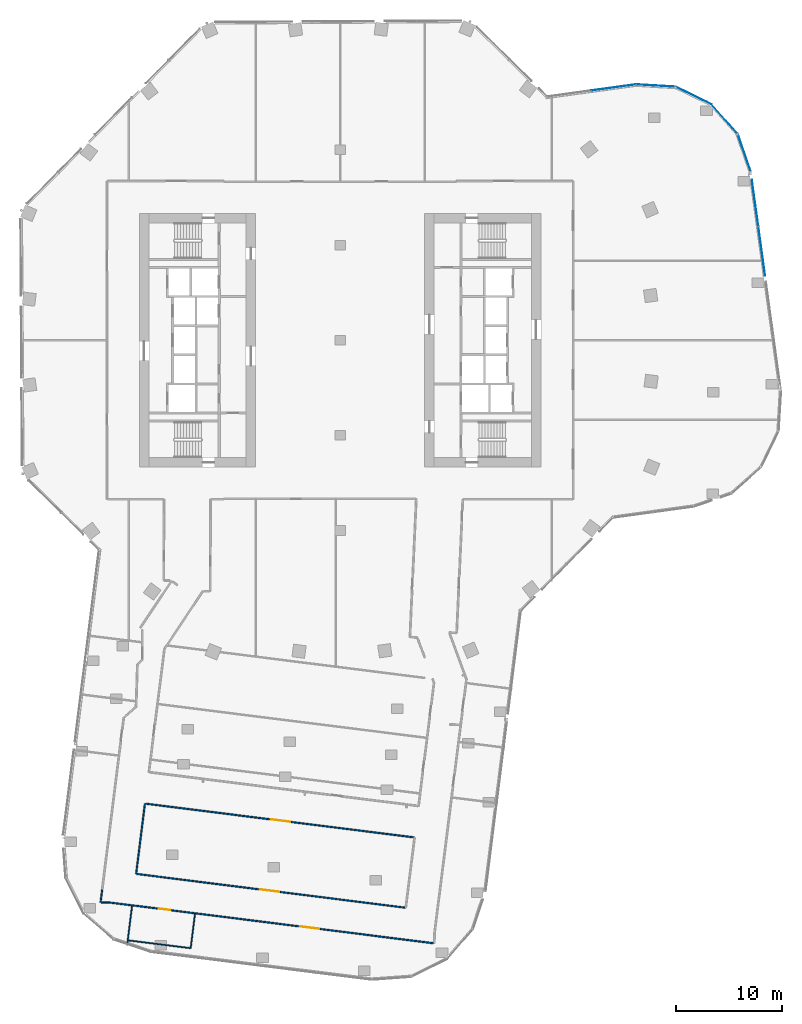
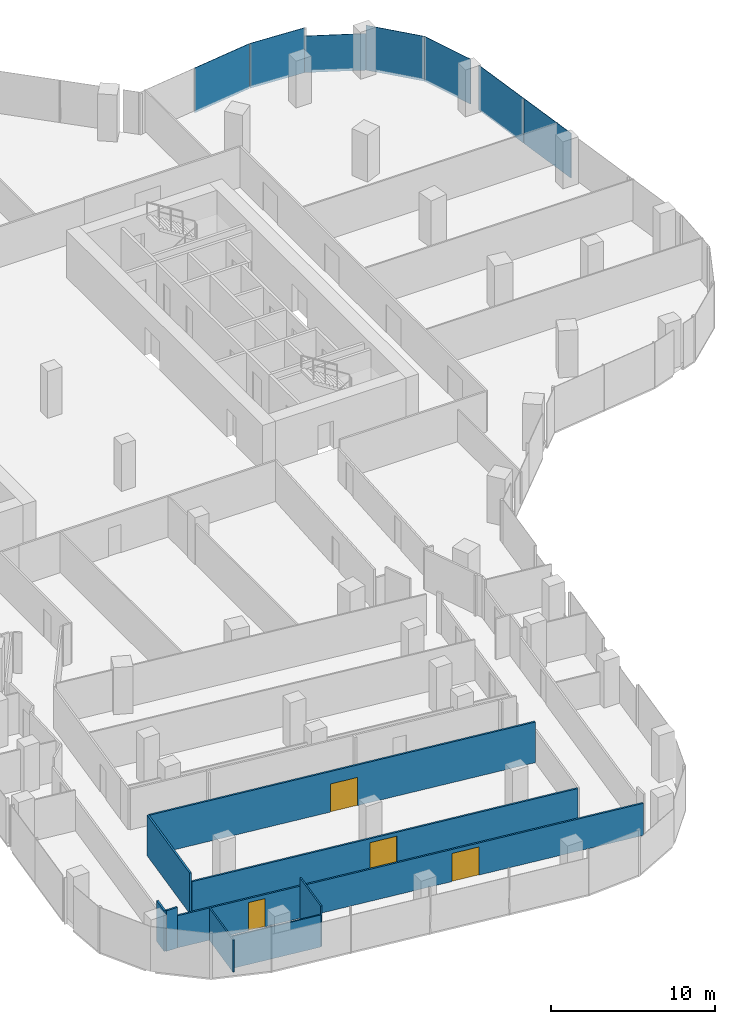
# One storey, part 18 of 27: 9 walls, 7 plates, 4 doors, 4 openings, 6 elements without a shape of their own.
"""IFC4 building model written with IfcOpenShell, lengths in metres."""

from ifc_helpers import new_model, si_unit, direction, frame, frame_2d, origin, origin_2d, place, context, subcontext, project, spatial, rectangle, extrude, material, layer, layer_set, type_object, element, fill, aggregate, save


model = new_model("IFC4")

# Units and contexts
model_context = context("Model", 3, precision=1e-05, world=origin(), true_north=direction((0.0, 1.0)))
body_context = subcontext(model_context, "Body", "Model", "MODEL_VIEW")
ifc_project = project(units=[si_unit("LENGTHUNIT", "METRE"), si_unit("AREAUNIT", "SQUARE_METRE"), si_unit("VOLUMEUNIT", "CUBIC_METRE"), si_unit("PLANEANGLEUNIT", "RADIAN"), si_unit("MASSUNIT", "GRAM", prefix="KILO")], contexts=[model_context])

# Site, building, storey
site_placement = place(None, origin())
site = spatial("IfcSite", under=ifc_project, at=site_placement, CompositionType="ELEMENT")
building_placement = place(site_placement, origin())
building = spatial("IfcBuilding", under=site, at=building_placement, Name="Orlundy Tower", CompositionType="ELEMENT")
storey_placement = place(building_placement, frame((0.0, 0.0, 202.60009765625)))
storey = spatial("IfcBuildingStorey", under=building, at=storey_placement, Name="L53", CompositionType="ELEMENT", Elevation=202.60009765625)

# Curtain wall, plate
ifc_material_1 = material(Name="Aluminium bronze anodised", Category="aluminium")
curtain_wall_type = type_object("IfcCurtainWallType", Name="CW1 wall", PredefinedType="NOTDEFINED", material=ifc_material_1)
curtain_wall_1_placement = place(storey_placement, origin())
curtain_wall_1 = element("IfcCurtainWall", 1, at=curtain_wall_1_placement, inside=storey, type_object=curtain_wall_type, Name="CW1 run 06", PredefinedType="NOTDEFINED")
ifc_material_2 = material(Name="Tinted glass", Category="glass")
ifc_layer_1 = layer(ifc_material_2, 0.031982421875)
ifc_layer_set_1 = layer_set([ifc_layer_1], Name="CW1 glass panel 32")
plate_type = type_object("IfcPlateType", Name="CW1 glass panel 32", PredefinedType="CURTAIN_PANEL", material=ifc_layer_set_1)
plate_1_placement = place(storey_placement, frame((25.857421875, 23.9111328125, -0.300048828125), z_axis=(0.0, 0.0, 1.0), x_axis=(0.990683386349, 0.136185270904, 0.0)))
plate_1 = element("IfcPlate", 2, at=plate_1_placement, type_object=plate_type, Name="CW1 panel", PredefinedType="CURTAIN_PANEL", context=body_context, shape_type="SweptSolid", body=[
    extrude(rectangle(XDim=4.232177734375, YDim=0.031982421875, at=origin_2d()), origin(), (0.0, 0.0, 1.0), 3.35009765625),
])
aggregate(curtain_wall_1, [plate_1])

curtain_wall_2_placement = place(storey_placement, origin())
curtain_wall_2 = element("IfcCurtainWall", 3, at=curtain_wall_2_placement, inside=storey, type_object=curtain_wall_type, Name="CW1 run 07", PredefinedType="NOTDEFINED")
plate_2_placement = place(storey_placement, frame((29.865478515625, 24.090576171875, -0.300048828125), z_axis=(0.0, 0.0, 1.0), x_axis=(0.998236959791, -0.059354630041, 0.0)))
plate_2 = element("IfcPlate", 4, at=plate_2_placement, type_object=plate_type, Name="CW1 panel", PredefinedType="CURTAIN_PANEL", context=body_context, shape_type="SweptSolid", body=[
    extrude(rectangle(XDim=3.730224609375, YDim=0.031982421875, at=origin_2d()), origin(), (0.0, 0.0, 1.0), 3.35009765625),
])
aggregate(curtain_wall_2, [plate_2])

curtain_wall_3_placement = place(storey_placement, origin())
curtain_wall_3 = element("IfcCurtainWall", 5, at=curtain_wall_3_placement, inside=storey, type_object=curtain_wall_type, Name="CW1 run 08", PredefinedType="NOTDEFINED")
plate_3_placement = place(storey_placement, frame((33.423583984375, 23.155029296875, -0.300048828125), z_axis=(0.0, 0.0, 1.0), x_axis=(0.89933544334, -0.43725937423, 0.0)))
plate_3 = element("IfcPlate", 6, at=plate_3_placement, type_object=plate_type, Name="CW1 panel", PredefinedType="CURTAIN_PANEL", context=body_context, shape_type="SweptSolid", body=[
    extrude(rectangle(XDim=3.7724609375, YDim=0.031982421875, at=origin_2d()), origin(), (0.0, 0.0, 1.0), 2.73388671875),
])
aggregate(curtain_wall_3, [plate_3])

curtain_wall_4_placement = place(storey_placement, origin())
curtain_wall_4 = element("IfcCurtainWall", 7, at=curtain_wall_4_placement, inside=storey, type_object=curtain_wall_type, Name="CW1 run 09", PredefinedType="NOTDEFINED")
plate_4_placement = place(storey_placement, frame((36.37158203125, 20.919921875, -0.300048828125), z_axis=(0.0, 0.0, 1.0), x_axis=(0.663760711342, -0.747944996694, 0.0)))
plate_4 = element("IfcPlate", 8, at=plate_4_placement, type_object=plate_type, Name="CW1 panel", PredefinedType="CURTAIN_PANEL", context=body_context, shape_type="SweptSolid", body=[
    extrude(rectangle(XDim=3.771484375, YDim=0.031982421875, at=origin_2d()), origin(), (0.0, 0.0, 1.0), 3.35009765625),
])
aggregate(curtain_wall_4, [plate_4])

curtain_wall_5_placement = place(storey_placement, origin())
curtain_wall_5 = element("IfcCurtainWall", 9, at=curtain_wall_5_placement, inside=storey, type_object=curtain_wall_type, Name="CW1 run 010", PredefinedType="NOTDEFINED")
plate_5_placement = place(storey_placement, frame((38.233154296875, 17.746826171875, -0.300048828125), z_axis=(0.0, 0.0, 1.0), x_axis=(0.32697157273, -0.945034174317, 0.0)))
plate_5 = element("IfcPlate", 10, at=plate_5_placement, type_object=plate_type, Name="CW1 panel", PredefinedType="CURTAIN_PANEL", context=body_context, shape_type="SweptSolid", body=[
    extrude(rectangle(XDim=3.73046875, YDim=0.031982421875, at=origin_2d()), origin(), (0.0, 0.0, 1.0), 3.35009765625),
])
aggregate(curtain_wall_5, [plate_5])

# Curtain wall, plates
curtain_wall_6_placement = place(storey_placement, origin())
curtain_wall_6 = element("IfcCurtainWall", 11, at=curtain_wall_6_placement, inside=storey, type_object=curtain_wall_type, Name="CW1 run 011", PredefinedType="NOTDEFINED")
plate_6_placement = place(storey_placement, frame((39.2607421875, 12.983642578125, -0.300048828125), z_axis=(0.0, 0.0, 1.0), x_axis=(0.13628610677, -0.990669519619, 0.0)))
plate_6 = element("IfcPlate", 12, at=plate_6_placement, type_object=plate_type, Name="CW1 panel", PredefinedType="CURTAIN_PANEL", context=body_context, shape_type="SweptSolid", body=[
    extrude(rectangle(XDim=4.47265625, YDim=0.031982421875, at=origin_2d()), origin(), (0.0, 0.0, 1.0), 3.35009765625),
])
plate_7_placement = place(storey_placement, frame((39.890869140625, 8.4033203125, -0.300048828125), z_axis=(0.0, 0.0, 1.0), x_axis=(0.13628610677, -0.990669519619, 0.0)))
plate_7 = element("IfcPlate", 13, at=plate_7_placement, type_object=plate_type, Name="CW1 panel", PredefinedType="CURTAIN_PANEL", context=body_context, shape_type="SweptSolid", body=[
    extrude(rectangle(XDim=4.67431640625, YDim=0.031982421875, at=origin_2d()), origin(), (0.0, 0.0, 1.0), 3.35009765625),
])
aggregate(curtain_wall_6, [plate_6, plate_7])

# Walls
ifc_material_3 = material(Name="Gypsum board partition")
ifc_layer_2 = layer(ifc_material_3, 0.10009765625)
ifc_layer_set_2 = layer_set([ifc_layer_2], Name="Floor partition 100")
wall_type_1 = type_object("IfcWallType", Name="Floor partition 100", PredefinedType="PARTITIONING", material=ifc_layer_set_2)
wall_1_placement = place(storey_placement, frame((-14.14111328125, -57.51708984375, 0.0), z_axis=(0.0, 0.0, 1.0), x_axis=(0.124586287257, 0.992208776935, 0.0)))
element("IfcWall", 14, at=wall_1_placement, inside=storey, type_object=wall_type_1, Name="wall-int-L53-050", PredefinedType="PARTITIONING", context=body_context, shape_type="SweptSolid", body=[
    extrude(rectangle(XDim=3.2685546875, YDim=0.10009765625, at=frame_2d((1.63427734375, 0.0))), origin(), (0.0, 0.0, 1.0), 3.02978515625),
])
ifc_material_4 = material(Name="Gypsum board partition")
ifc_layer_3 = layer(ifc_material_4, 0.10009765625)
ifc_layer_set_3 = layer_set([ifc_layer_3], Name="Floor partition 100 B")
wall_type_2 = type_object("IfcWallType", Name="Floor partition 100 B", PredefinedType="PARTITIONING", material=ifc_layer_set_3)
wall_2_placement = place(storey_placement, frame((-20.044921875, -56.77490234375, 0.0), z_axis=(0.0, 0.0, 1.0), x_axis=(0.992184639026, -0.124778371847, 0.0)))
element("IfcWall", 15, at=wall_2_placement, inside=storey, type_object=wall_type_2, Name="wall-int-L53-007", PredefinedType="PARTITIONING", context=body_context, shape_type="SweptSolid", body=[
    extrude(rectangle(XDim=5.899169921875, YDim=0.10009765625, at=frame_2d((2.94970703125, 0.0))), origin(), (0.0, 0.0, 1.0), 2.39501953125),
])
wall_3_placement = place(storey_placement, frame((-20.152099609375, -57.218994140625, 0.0), z_axis=(0.0, 0.0, 1.0), x_axis=(0.124656149898, 0.992200002163, 0.0)))
element("IfcWall", 16, at=wall_3_placement, inside=storey, type_object=wall_type_2, Name="wall-int-L53-053", PredefinedType="PARTITIONING", context=body_context, shape_type="SweptSolid", body=[
    extrude(rectangle(XDim=3.72314453125, YDim=0.10009765625, at=frame_2d((1.861572265625, 0.0))), origin(), (0.0, 0.0, 1.0), 2.39501953125),
])

# Wall, opening, door
ifc_material_5 = material(Name="Gypsum board partition, double layer")
ifc_layer_4 = layer(ifc_material_5, 0.125)
ifc_layer_set_4 = layer_set([ifc_layer_4], Name="Floor partition 125")
wall_type_3 = type_object("IfcWallType", Name="Floor partition 125", PredefinedType="PARTITIONING", material=ifc_layer_set_4)
wall_4_placement = place(storey_placement, frame((6.97900390625, -47.034912109375, 0.0), z_axis=(0.0, 0.0, 1.0), x_axis=(-0.992192052325, 0.124719410292, 0.0)))
wall_4 = element("IfcWall", 17, at=wall_4_placement, inside=storey, type_object=wall_type_3, Name="wall-int-L53-010", PredefinedType="PARTITIONING", context=body_context, shape_type="SweptSolid", body=[
    extrude(rectangle(XDim=25.584716796875, YDim=0.125, at=frame_2d((12.79248046875, 0.0))), origin(), (0.0, 0.0, 1.0), 3.02978515625),
])
opening_1_placement = place(wall_4_placement, frame((11.78759765625, 0.0, 0.0)))
opening_1 = element("IfcOpeningElement", 18, at=opening_1_placement, cuts=wall_4, Name="Opening 40107", PredefinedType="OPENING", context=body_context, shape_type="SweptSolid", body=[
    extrude(rectangle(XDim=1.800048828125, YDim=2.10009765625, at=frame_2d((0.89990234375, 1.050048828125))), frame((0.0, 0.072509765625, 0.0), z_axis=(0.0, -1.0, 0.0), x_axis=(1.0, 0.0, 0.0)), (0.0, 0.0, 1.0), 0.14501953125),
])
ifc_material_6 = material(Name="Timber door leaf", Category="wood")
door_type_1 = type_object("IfcDoorType", Name="Floor door double 1800 FD30S", OperationType="NOTDEFINED", PredefinedType="DOOR", material=ifc_material_6)
door_1_placement = place(opening_1_placement, origin())
door_1 = element("IfcDoor", 19, at=door_1_placement, inside=storey, type_object=door_type_1, Name="Door 40107", OperationType="DOUBLE_DOOR_SINGLE_SWING", OverallHeight=2.10009765625, OverallWidth=1.800048828125, PredefinedType="DOOR", context=body_context, shape_type="SweptSolid", body=[
    extrude(rectangle(XDim=1.800048828125, YDim=2.10009765625, at=frame_2d((0.89990234375, 1.050048828125))), frame((0.0, 0.02490234375, 0.0), z_axis=(0.0, -1.0, 0.0), x_axis=(1.0, 0.0, 0.0)), (0.0, 0.0, 1.0), 0.050048828125),
])
fill(opening_1, door_1)

# Walls
wall_5_placement = place(storey_placement, frame((-22.60595703125, -53.18408203125, 0.0), z_axis=(0.0, 0.0, 1.0), x_axis=(0.999948794941, -0.010119658899, 0.0)))
element("IfcWall", 20, at=wall_5_placement, inside=storey, type_object=wall_type_3, Name="wall-int-L53-025", PredefinedType="PARTITIONING", context=body_context, shape_type="SweptSolid", body=[
    extrude(rectangle(XDim=0.77197265625, YDim=0.125, at=frame_2d((0.385986328125, 0.0))), origin(), (0.0, 0.0, 1.0), 3.02978515625),
])
wall_6_placement = place(storey_placement, frame((-19.303955078125, -50.486083984375, 0.0), z_axis=(0.0, 0.0, 1.0), x_axis=(0.124720623553, 0.992191899816, 0.0)))
element("IfcWall", 21, at=wall_6_placement, inside=storey, type_object=wall_type_3, Name="wall-int-L53-051", PredefinedType="PARTITIONING", context=body_context, shape_type="SweptSolid", body=[
    extrude(rectangle(XDim=6.702392578125, YDim=0.125, at=frame_2d((3.35107421875, 0.0))), origin(), (0.0, 0.0, 1.0), 3.02978515625),
])
wall_7_placement = place(storey_placement, frame((-22.66796875, -53.181884765625, 0.0), z_axis=(0.0, 0.0, 1.0), x_axis=(0.124237932287, 0.992252455871, 0.0)))
element("IfcWall", 22, at=wall_7_placement, inside=storey, type_object=wall_type_3, Name="wall-int-L53-057", PredefinedType="PARTITIONING", context=body_context, shape_type="SweptSolid", body=[
    extrude(rectangle(XDim=1.18310546875, YDim=0.125, at=frame_2d((0.591552734375, 0.0))), origin(), (0.0, 0.0, 1.0), 3.02978515625),
])

# Wall, openings, doors
ifc_material_7 = material(Name="Gypsum board partition, double layer")
ifc_layer_5 = layer(ifc_material_7, 0.125)
ifc_layer_set_5 = layer_set([ifc_layer_5], Name="Floor partition 125 B")
wall_type_4 = type_object("IfcWallType", Name="Floor partition 125 B", PredefinedType="PARTITIONING", material=ifc_layer_set_5)
wall_8_placement = place(storey_placement, frame((8.822998046875, -57.049072265625, 0.0), z_axis=(0.0, 0.0, 1.0), x_axis=(-0.992177755652, 0.124833093322, 0.0)))
wall_8 = element("IfcWall", 23, at=wall_8_placement, inside=storey, type_object=wall_type_4, Name="wall-int-L53-008", PredefinedType="PARTITIONING", context=body_context, shape_type="SweptSolid", body=[
    extrude(rectangle(XDim=30.898681640625, YDim=0.125, at=frame_2d((15.44921875, 0.0))), origin(), (0.0, 0.0, 1.0), 2.39501953125),
])
opening_2_placement = place(wall_8_placement, frame((10.892333984375, 0.0, 0.0)))
opening_2 = element("IfcOpeningElement", 24, at=opening_2_placement, cuts=wall_8, Name="Opening 40108", PredefinedType="OPENING", context=body_context, shape_type="SweptSolid", body=[
    extrude(rectangle(XDim=1.800048828125, YDim=2.10009765625, at=frame_2d((0.89990234375, 1.050048828125))), frame((0.0, 0.072509765625, 0.0), z_axis=(0.0, -1.0, 0.0), x_axis=(1.0, 0.0, 0.0)), (0.0, 0.0, 1.0), 0.14501953125),
])
opening_3_placement = place(wall_8_placement, frame((25.076904296875, 0.0, 0.0)))
opening_3 = element("IfcOpeningElement", 25, at=opening_3_placement, cuts=wall_8, Name="Opening 40127", PredefinedType="OPENING", context=body_context, shape_type="SweptSolid", body=[
    extrude(rectangle(XDim=1.10009765625, YDim=2.10009765625, at=frame_2d((0.550048828125, 1.050048828125))), frame((0.0, 0.072509765625, 0.0), z_axis=(0.0, -1.0, 0.0), x_axis=(1.0, 0.0, 0.0)), (0.0, 0.0, 1.0), 0.14501953125),
])
door_2_placement = place(opening_2_placement, origin())
door_2 = element("IfcDoor", 26, at=door_2_placement, inside=storey, type_object=door_type_1, Name="Door 40108", OperationType="DOUBLE_DOOR_SINGLE_SWING", OverallHeight=2.10009765625, OverallWidth=1.800048828125, PredefinedType="DOOR", context=body_context, shape_type="SweptSolid", body=[
    extrude(rectangle(XDim=1.800048828125, YDim=2.10009765625, at=frame_2d((0.89990234375, 1.050048828125))), frame((0.0, 0.02490234375, 0.0), z_axis=(0.0, -1.0, 0.0), x_axis=(1.0, 0.0, 0.0)), (0.0, 0.0, 1.0), 0.050048828125),
])
fill(opening_2, door_2)
ifc_material_8 = material(Name="Timber door leaf", Category="wood")
door_type_2 = type_object("IfcDoorType", Name="Floor door xwide 1100 FD30S", OperationType="NOTDEFINED", PredefinedType="DOOR", material=ifc_material_8)
door_3_placement = place(opening_3_placement, origin())
door_3 = element("IfcDoor", 27, at=door_3_placement, inside=storey, type_object=door_type_2, Name="Door 40127", OperationType="SINGLE_SWING_RIGHT", OverallHeight=2.10009765625, OverallWidth=1.10009765625, PredefinedType="DOOR", context=body_context, shape_type="SweptSolid", body=[
    extrude(rectangle(XDim=1.10009765625, YDim=2.10009765625, at=frame_2d((0.550048828125, 1.050048828125))), frame((0.0, 0.02490234375, 0.0), z_axis=(0.0, -1.0, 0.0), x_axis=(1.0, 0.0, 0.0)), (0.0, 0.0, 1.0), 0.050048828125),
])
fill(opening_3, door_3)

# Wall, opening, door
wall_9_placement = place(storey_placement, frame((-19.241943359375, -50.493896484375, 0.0), z_axis=(0.0, 0.0, 1.0), x_axis=(0.992190871449, -0.124728804262, 0.0)))
wall_9 = element("IfcWall", 28, at=wall_9_placement, inside=storey, type_object=wall_type_4, Name="wall-int-L53-009", PredefinedType="PARTITIONING", context=body_context, shape_type="SweptSolid", body=[
    extrude(rectangle(XDim=25.584716796875, YDim=0.125, at=frame_2d((12.79248046875, 0.0))), origin(), (0.0, 0.0, 1.0), 2.39501953125),
])
opening_4_placement = place(wall_9_placement, frame((11.78759765625, 0.0, 0.0)))
opening_4 = element("IfcOpeningElement", 29, at=opening_4_placement, cuts=wall_9, Name="Opening 40106", PredefinedType="OPENING", context=body_context, shape_type="SweptSolid", body=[
    extrude(rectangle(XDim=1.800048828125, YDim=2.10009765625, at=frame_2d((0.89990234375, 1.050048828125))), frame((0.0, 0.072509765625, 0.0), z_axis=(0.0, -1.0, 0.0), x_axis=(1.0, 0.0, 0.0)), (0.0, 0.0, 1.0), 0.14501953125),
])
door_4_placement = place(opening_4_placement, origin())
door_4 = element("IfcDoor", 30, at=door_4_placement, inside=storey, type_object=door_type_1, Name="Door 40106", OperationType="DOUBLE_DOOR_SINGLE_SWING", OverallHeight=2.10009765625, OverallWidth=1.800048828125, PredefinedType="DOOR", context=body_context, shape_type="SweptSolid", body=[
    extrude(rectangle(XDim=1.800048828125, YDim=2.10009765625, at=frame_2d((0.89990234375, 1.050048828125))), frame((0.0, 0.02490234375, 0.0), z_axis=(0.0, -1.0, 0.0), x_axis=(1.0, 0.0, 0.0)), (0.0, 0.0, 1.0), 0.050048828125),
])
fill(opening_4, door_4)

save(model, "model.ifc")
